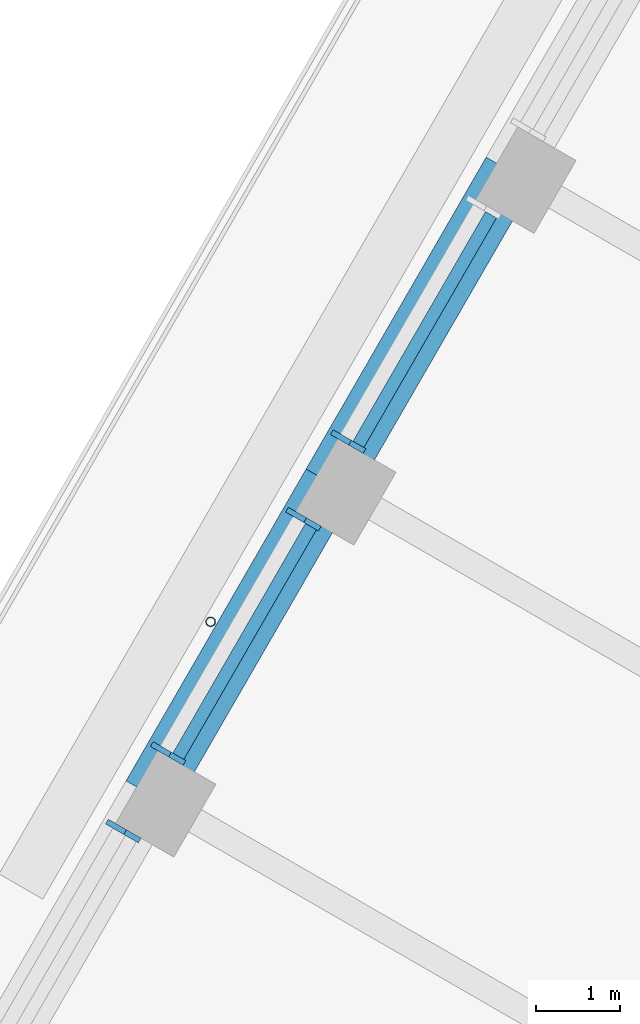
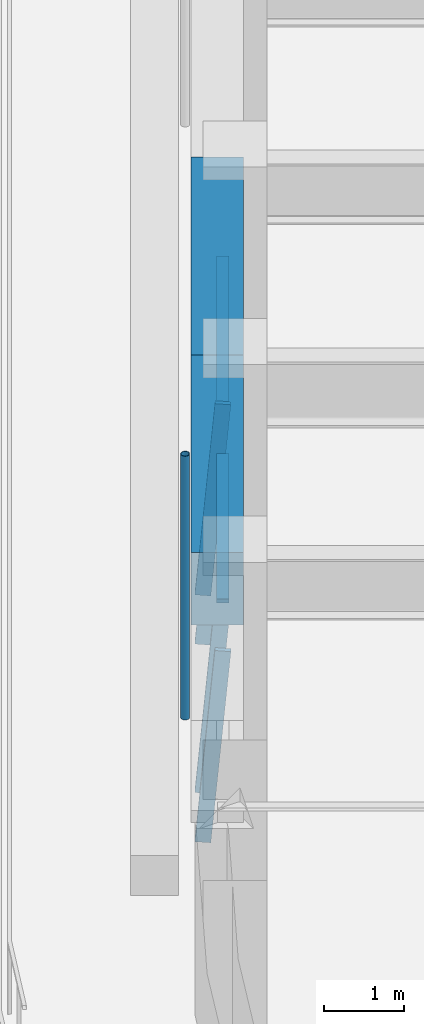
# One storey, part 6 of 19: 7 members, 2 beams, 3 elements without a shape of their own.
"""IFC4 building model written with IfcOpenShell, lengths in metres."""

import ifcopenshell
import ifcopenshell.guid

model = None  # the IFC model being written
_history = None  # IfcOwnerHistory: only IFC2X3 demands one
_inside = {}  # id of a spatial element -> (the spatial element, [elements in it])
_under = {}  # id of a project, library or spatial element -> (it, [spatial elements below it])
_declared = {}  # id of a project -> (the project, [libraries it declares])
_typed = {}  # id of a type object -> (the type object, [elements of that type])
_made_of = {}  # id of a material, layer set ... -> (it, [elements and type objects made of it])


def new_model(schema):
    """Start an empty IFC model of exactly this schema.

    Asked for "IFC4X3", IfcOpenShell would pick the latest addendum, in which some entities
    have other attributes; the version numbers below select the first issue.
    IFC2X3 requires an IfcOwnerHistory on every rooted entity: one is made here for all.
    """
    global model, _history
    if schema == "IFC4X3":
        model = ifcopenshell.file(schema_version=(4, 3, 0, 0))
    else:
        model = ifcopenshell.file(schema=schema)
    _inside.clear()
    _under.clear()
    _declared.clear()
    _typed.clear()
    _made_of.clear()
    _history = None
    if model.schema == "IFC2X3":
        org = make("IfcOrganization", Name="unknown")
        user = make(
            "IfcPersonAndOrganization",
            ThePerson=make("IfcPerson", FamilyName="unknown"),
            TheOrganization=org,
        )
        app = make(
            "IfcApplication",
            ApplicationDeveloper=org,
            Version="unknown",
            ApplicationFullName="unknown",
            ApplicationIdentifier="unknown",
        )
        _history = make(
            "IfcOwnerHistory",
            OwningUser=user,
            OwningApplication=app,
            ChangeAction="ADDED",
            CreationDate=0,
        )
    return model


def make(cls, **values):
    """One entity of the class cls with the attributes given. An attribute that is None is left unset."""
    return model.create_entity(
        cls, **{name: value for name, value in values.items() if value is not None}
    )


def rooted(cls, **values):
    """An entity with a GlobalId (a new one), such as an element, a storey or a relation."""
    return make(cls, GlobalId=ifcopenshell.guid.new(), OwnerHistory=_history, **values)


def si_unit(unit_type, name, prefix=None):
    """IfcSIUnit, for example si_unit("LENGTHUNIT", "METRE", prefix="MILLI")."""
    return make("IfcSIUnit", UnitType=unit_type, Prefix=prefix, Name=name)


def assignment(units):
    """IfcUnitAssignment: the units of a project."""
    return None if units is None else make("IfcUnitAssignment", Units=units)


def point(xyz):
    """IfcCartesianPoint."""
    return None if xyz is None else make("IfcCartesianPoint", Coordinates=xyz)


def direction(xyz):
    """IfcDirection."""
    return None if xyz is None else make("IfcDirection", DirectionRatios=xyz)


def frame(location, z_axis=None, x_axis=None):
    """IfcAxis2Placement3D, a coordinate frame: its origin and axes. An axis left out is left unset."""
    return make(
        "IfcAxis2Placement3D",
        Location=point(location),
        Axis=direction(z_axis),
        RefDirection=direction(x_axis),
    )


def frame_2d(location, x_axis=None):
    """IfcAxis2Placement2D, a coordinate frame in the plane: its origin and x axis."""
    return make(
        "IfcAxis2Placement2D", Location=point(location), RefDirection=direction(x_axis)
    )


def origin():
    """The frame at (0, 0, 0) with its axes left unset."""
    return frame((0.0, 0.0, 0.0))


def origin_2d():
    """The frame at (0, 0) in the plane with its x axis left unset."""
    return frame_2d((0.0, 0.0))


def place(relative_to, where):
    """IfcLocalPlacement: puts the frame where relative to a parent placement (None: the world)."""
    return make(
        "IfcLocalPlacement", PlacementRelTo=relative_to, RelativePlacement=where
    )


def context(
    kind, dimensions, precision=None, world=None, true_north=None, identifier=None
):
    """IfcGeometricRepresentationContext, for example the 3D "Model" context."""
    return make(
        "IfcGeometricRepresentationContext",
        ContextIdentifier=identifier,
        ContextType=kind,
        CoordinateSpaceDimension=dimensions,
        Precision=precision,
        WorldCoordinateSystem=world,
        TrueNorth=true_north,
    )


def subcontext(parent, identifier, kind, view, scale=None):
    """IfcGeometricRepresentationSubContext, for example "Body" below "Model"."""
    return make(
        "IfcGeometricRepresentationSubContext",
        ContextIdentifier=identifier,
        ContextType=kind,
        ParentContext=parent,
        TargetScale=scale,
        TargetView=view,
    )


def project(units=None, contexts=None):
    """IfcProject with its units and contexts."""
    return rooted(
        "IfcProject",
        Name="project",
        RepresentationContexts=contexts,
        UnitsInContext=assignment(units),
    )


def spatial(cls, under=None, at=None, **own):
    """A site, building, storey or space (cls), placed at a placement, below another one or the project."""
    s = rooted(cls, ObjectPlacement=at, **own)
    if under is not None:
        _under.setdefault(under.id(), (under, []))[1].append(s)
    return s


def profile(cls, at=None, kind="AREA", **sizes):
    """A parametric profile (cls). Its sizes go by their IFC names, for example OverallWidth=200.0."""
    return make(cls, ProfileType=kind, Position=at, **sizes)


def rectangle(**sizes):
    """IfcRectangleProfileDef."""
    return profile("IfcRectangleProfileDef", **sizes)


def hollow_circle(**sizes):
    """IfcCircleHollowProfileDef."""
    return profile("IfcCircleHollowProfileDef", **sizes)


def extrude(swept, where, along, depth):
    """IfcExtrudedAreaSolid: the profile swept, set in the frame where, extruded along a direction by depth."""
    return make(
        "IfcExtrudedAreaSolid",
        SweptArea=swept,
        Position=where,
        ExtrudedDirection=direction(along),
        Depth=depth,
    )


def shape(context_of_items, identifier, shape_type, items):
    """IfcShapeRepresentation: the items that make up one representation, for example the "Body"."""
    return make(
        "IfcShapeRepresentation",
        ContextOfItems=context_of_items,
        RepresentationIdentifier=identifier,
        RepresentationType=shape_type,
        Items=items,
    )


def material(Name=None, Category=None):
    """IfcMaterial."""
    return make("IfcMaterial", Name=Name, Category=Category)


def material_profile(
    of_material, cross_section, Name=None, Category=None, Priority=None
):
    """IfcMaterialProfile: a cross section and its material."""
    return make(
        "IfcMaterialProfile",
        Name=Name,
        Material=of_material,
        Profile=cross_section,
        Priority=Priority,
        Category=Category,
    )


def profile_set(profiles, Name=None, composite=None):
    """IfcMaterialProfileSet."""
    return make(
        "IfcMaterialProfileSet",
        Name=Name,
        MaterialProfiles=profiles,
        CompositeProfile=composite,
    )


def made_of(thing, what):
    """Note that an element or type object is made of a material, layer set ...; save() writes the relation."""
    if what is not None:
        _made_of.setdefault(what.id(), (what, []))[1].append(thing)
    return thing


def type_object(cls, material=None, **own):
    """A type object (cls), such as IfcWallType, which elements share."""
    return made_of(rooted(cls, **own), material)


def element(
    cls,
    number,
    at=None,
    inside=None,
    cuts=None,
    type_object=None,
    material=None,
    context=None,
    identifier="Body",
    shape_type=None,
    held_by="IfcProductDefinitionShape",
    body=None,
    shapes=None,
    **own,
):
    """One element of the class cls, such as IfcWall. Its Tag is "e" and its number.

    at: its placement. inside: the storey or other place that contains it. cuts: it is an
    opening in that element (IfcRelVoidsElement). A single representation is given by context,
    identifier, shape_type and body (its items); several are given by shapes. held_by: the class
    of the entity that holds the representations. save() writes the other relations.
    """
    e = rooted(cls, Tag="e%d" % number, ObjectPlacement=at, **own)
    if body is not None:
        shapes = [shape(context, identifier, shape_type, body)]
    if shapes is not None:
        e.Representation = make(held_by, Representations=shapes)
    if inside is not None:
        _inside.setdefault(inside.id(), (inside, []))[1].append(e)
    if cuts is not None:
        rooted(
            "IfcRelVoidsElement", RelatingBuildingElement=cuts, RelatedOpeningElement=e
        )
    if type_object is not None:
        _typed.setdefault(type_object.id(), (type_object, []))[1].append(e)
    return made_of(e, material)


def aggregate(whole, parts):
    """IfcRelAggregates: a whole, such as a stair, and the parts it consists of."""
    return rooted("IfcRelAggregates", RelatingObject=whole, RelatedObjects=parts)


def save(model, path):
    """Write the relations noted so far, then the file.

    IfcRelAggregates (storeys below a building ...), IfcRelContainedInSpatialStructure (elements
    in a storey), IfcRelDefinesByType, IfcRelAssociatesMaterial and IfcRelDeclares: one each for
    every whole, place, type object, material and project.
    """
    for whole, parts in _under.values():
        aggregate(whole, parts)
    for where, things in _inside.values():
        rooted(
            "IfcRelContainedInSpatialStructure",
            RelatedElements=things,
            RelatingStructure=where,
        )
    for kind, things in _typed.values():
        rooted("IfcRelDefinesByType", RelatedObjects=things, RelatingType=kind)
    for what, things in _made_of.values():
        rooted("IfcRelAssociatesMaterial", RelatedObjects=things, RelatingMaterial=what)
    for by, libraries in _declared.values():
        rooted("IfcRelDeclares", RelatingContext=by, RelatedDefinitions=libraries)
    model.write(path)


model = new_model("IFC4")

# Units and contexts
model_context = context("Model", 3, precision=1e-05, world=origin(), true_north=direction((0.0, 1.0)))
body_context = subcontext(model_context, "Body", "Model", "MODEL_VIEW")
ifc_project = project(units=[si_unit("LENGTHUNIT", "METRE"), si_unit("AREAUNIT", "SQUARE_METRE"), si_unit("VOLUMEUNIT", "CUBIC_METRE"), si_unit("PLANEANGLEUNIT", "RADIAN"), si_unit("MASSUNIT", "GRAM", prefix="KILO")], contexts=[model_context])

# Site, building, storey
site_placement = place(None, origin())
site = spatial("IfcSite", under=ifc_project, at=site_placement, CompositionType="ELEMENT")
building_placement = place(site_placement, origin())
building = spatial("IfcBuilding", under=site, at=building_placement, Name="Tarfa Lantern Tower", CompositionType="ELEMENT")
storey_placement = place(building_placement, frame((0.0, 0.0, 336.699951171875)))
storey = spatial("IfcBuildingStorey", under=building, at=storey_placement, Name="L76", CompositionType="ELEMENT", Elevation=336.699951171875)

# Curtain wall, member
ifc_material_1 = material(Name="Aluminium framed curtain wall", Category="aluminium")
curtain_wall_type = type_object("IfcCurtainWallType", Name="CW4 CANTED GLAZING EXECUTIVE ZONE 2900", PredefinedType="USERDEFINED", material=ifc_material_1)
curtain_wall_1_placement = place(storey_placement, origin())
curtain_wall_1 = element("IfcCurtainWall", 1, at=curtain_wall_1_placement, inside=storey, type_object=curtain_wall_type, Name="CW4 NW L76", ObjectType="CURTAIN WALL", PredefinedType="USERDEFINED")
ifc_material_2 = material(Name="Aluminium mullion", Category="aluminium")
ifc_material_profile_1 = material_profile(ifc_material_2, rectangle(XDim=0.06494140625, YDim=0.199951171875, at=origin_2d()), Name="AL MULLION 65x200")
ifc_profile_set_1 = profile_set([ifc_material_profile_1], Name="Aluminium mullion")
member_type_1 = type_object("IfcMemberType", Name="CWM1 MULLION 65x200", PredefinedType="MULLION", material=ifc_profile_set_1)
member_1_placement = place(storey_placement, frame((-24.954345703125, 10.077880859375, 0.0), z_axis=(0.074393603155, -0.042941967097, 0.996303959277), x_axis=(0.499919672301, 0.866071776036, 0.0)))
member_1 = element("IfcMember", 2, at=member_1_placement, type_object=member_type_1, Name="CW4 mullion 2", PredefinedType="MULLION", context=body_context, shape_type="SweptSolid", body=[
    extrude(rectangle(XDim=0.06494140625, YDim=0.199951171875, at=origin_2d()), origin(), (0.0, 0.0, 1.0), 2.910888671875),
])

# Curtain wall, members
curtain_wall_2_placement = place(storey_placement, origin())
curtain_wall_2 = element("IfcCurtainWall", 3, at=curtain_wall_2_placement, inside=storey, type_object=curtain_wall_type, Name="CW4 NW L76", ObjectType="CURTAIN WALL", PredefinedType="USERDEFINED")
member_2_placement = place(storey_placement, frame((-25.48681640625, 9.155517578125, 0.0), z_axis=(0.074393603155, -0.042941967097, 0.996303959277), x_axis=(0.499919672301, 0.866071776036, 0.0)))
member_2 = element("IfcMember", 4, at=member_2_placement, type_object=member_type_1, Name="CW4 mullion 1", PredefinedType="MULLION", context=body_context, shape_type="SweptSolid", body=[
    extrude(rectangle(XDim=0.06494140625, YDim=0.199951171875, at=origin_2d()), origin(), (0.0, 0.0, 1.0), 2.910888671875),
])
member_3_placement = place(storey_placement, frame((-27.095458984375, 6.369384765625, 0.0), z_axis=(0.074393603155, -0.042941967097, 0.996303959277), x_axis=(0.499919672301, 0.866071776036, 0.0)))
member_3 = element("IfcMember", 5, at=member_3_placement, type_object=member_type_1, Name="CW4 mullion 2", PredefinedType="MULLION", context=body_context, shape_type="SweptSolid", body=[
    extrude(rectangle(XDim=0.06494140625, YDim=0.199951171875, at=origin_2d()), origin(), (0.0, 0.0, 1.0), 2.910888671875),
])

# Curtain wall, member
curtain_wall_3_placement = place(storey_placement, origin())
curtain_wall_3 = element("IfcCurtainWall", 6, at=curtain_wall_3_placement, inside=storey, type_object=curtain_wall_type, Name="CW4 NW L76", ObjectType="CURTAIN WALL", PredefinedType="USERDEFINED")
member_4_placement = place(storey_placement, frame((-27.6279296875, 5.447265625, 0.0), z_axis=(0.074393603155, -0.042941967097, 0.996303959277), x_axis=(0.499919672301, 0.866071776036, 0.0)))
member_4 = element("IfcMember", 7, at=member_4_placement, type_object=member_type_1, Name="CW4 mullion 1", PredefinedType="MULLION", context=body_context, shape_type="SweptSolid", body=[
    extrude(rectangle(XDim=0.06494140625, YDim=0.199951171875, at=origin_2d()), origin(), (0.0, 0.0, 1.0), 2.910888671875),
])
aggregate(curtain_wall_3, [member_4])

# Member
ifc_material_3 = material(Name="Aluminium transom", Category="aluminium")
ifc_material_profile_2 = material_profile(ifc_material_3, rectangle(XDim=0.14990234375, YDim=0.06494140625, at=origin_2d()), Name="AL TRANSOM 150x65")
ifc_profile_set_2 = profile_set([ifc_material_profile_2], Name="Aluminium transom")
member_type_2 = type_object("IfcMemberType", Name="CWT1 TRANSOM 150x65", PredefinedType="USERDEFINED", material=ifc_profile_set_2)
member_5_placement = place(storey_placement, frame((-23.14794921875, 12.712158203125, 2.867431640625), z_axis=(-0.500037562771, -0.866003715822, 0.0), x_axis=(0.866003715822, -0.500037562771, 0.0)))
member_5 = element("IfcMember", 8, at=member_5_placement, type_object=member_type_2, Name="CW4 transom 1.2", ObjectType="TRANSOM", PredefinedType="USERDEFINED", context=body_context, shape_type="SweptSolid", body=[
    extrude(rectangle(XDim=0.14990234375, YDim=0.06494140625, at=origin_2d()), origin(), (0.0, 0.0, 1.0), 3.152099609375),
])

aggregate(curtain_wall_1, [member_1, member_5])

member_6_placement = place(storey_placement, frame((-25.2890625, 9.003662109375, 2.867431640625), z_axis=(-0.499979472441, -0.866037255052, 0.0), x_axis=(0.866037255052, -0.499979472441, 0.0)))
member_6 = element("IfcMember", 9, at=member_6_placement, type_object=member_type_2, Name="CW4 transom 1.2", ObjectType="TRANSOM", PredefinedType="USERDEFINED", context=body_context, shape_type="SweptSolid", body=[
    extrude(rectangle(XDim=0.14990234375, YDim=0.06494140625, at=origin_2d()), origin(), (0.0, 0.0, 1.0), 3.152099609375),
])

aggregate(curtain_wall_2, [member_2, member_3, member_6])

# Beams
ifc_material_4 = material(Name="Concrete C80/95", Category="concrete")
ifc_material_profile_3 = material_profile(ifc_material_4, rectangle(XDim=0.64990234375, YDim=1.10009765625, at=origin_2d()), Name="RC 650x1100")
ifc_profile_set_3 = profile_set([ifc_material_profile_3], Name="Concrete C80/95")
beam_type = type_object("IfcBeamType", Name="EB4 RC 650x1100", PredefinedType="SPANDREL", material=ifc_profile_set_3)
beam_1_placement = place(storey_placement, frame((-22.923583984375, 13.235107421875, 3.449951171875), z_axis=(-0.500002112793, -0.866024183959, 0.0), x_axis=(0.866024183959, -0.500002112793, 0.0)))
element("IfcBeam", 10, at=beam_1_placement, inside=storey, type_object=beam_type, Name="Edge beam NW3", PredefinedType="SPANDREL", context=body_context, shape_type="SweptSolid", body=[
    extrude(rectangle(XDim=0.64990234375, YDim=1.10009765625, at=origin_2d()), origin(), (0.0, 0.0, 1.0), 4.2822265625),
])
beam_2_placement = place(storey_placement, frame((-25.064697265625, 9.526611328125, 3.449951171875), z_axis=(-0.500026801138, -0.866009929587, 0.0), x_axis=(0.866009929587, -0.500026801138, 0.0)))
element("IfcBeam", 11, at=beam_2_placement, inside=storey, type_object=beam_type, Name="Edge beam NW4", PredefinedType="SPANDREL", context=body_context, shape_type="SweptSolid", body=[
    extrude(rectangle(XDim=0.64990234375, YDim=1.10009765625, at=origin_2d()), origin(), (0.0, 0.0, 1.0), 4.281982421875),
])

# Member
ifc_material_5 = material(Name="Steel S355", Category="steel")
ifc_material_profile_4 = material_profile(ifc_material_5, hollow_circle(Radius=0.05712890625, WallThickness=0.00634765625, at=origin_2d()), Name="CHS114.3x6.3")
ifc_profile_set_4 = profile_set([ifc_material_profile_4], Name="Steel S355")
member_type_3 = type_object("IfcMemberType", Name="TR1 GREEN WALL TRELLIS CHS114.3x6.3", PredefinedType="USERDEFINED", material=ifc_profile_set_4)
member_7_placement = place(storey_placement, frame((-26.481689453125, 7.87255859375, 0.0), z_axis=(0.0, 0.0, 1.0), x_axis=(1.0, 0.0, 0.0)))
element("IfcMember", 12, at=member_7_placement, inside=storey, type_object=member_type_3, Name="Trellis post NW 2", ObjectType="TRELLIS", PredefinedType="USERDEFINED", context=body_context, shape_type="SweptSolid", body=[
    extrude(hollow_circle(Radius=0.05712890625, WallThickness=0.00634765625, at=origin_2d()), origin(), (0.0, 0.0, 1.0), 4.0),
])

save(model, "model.ifc")
